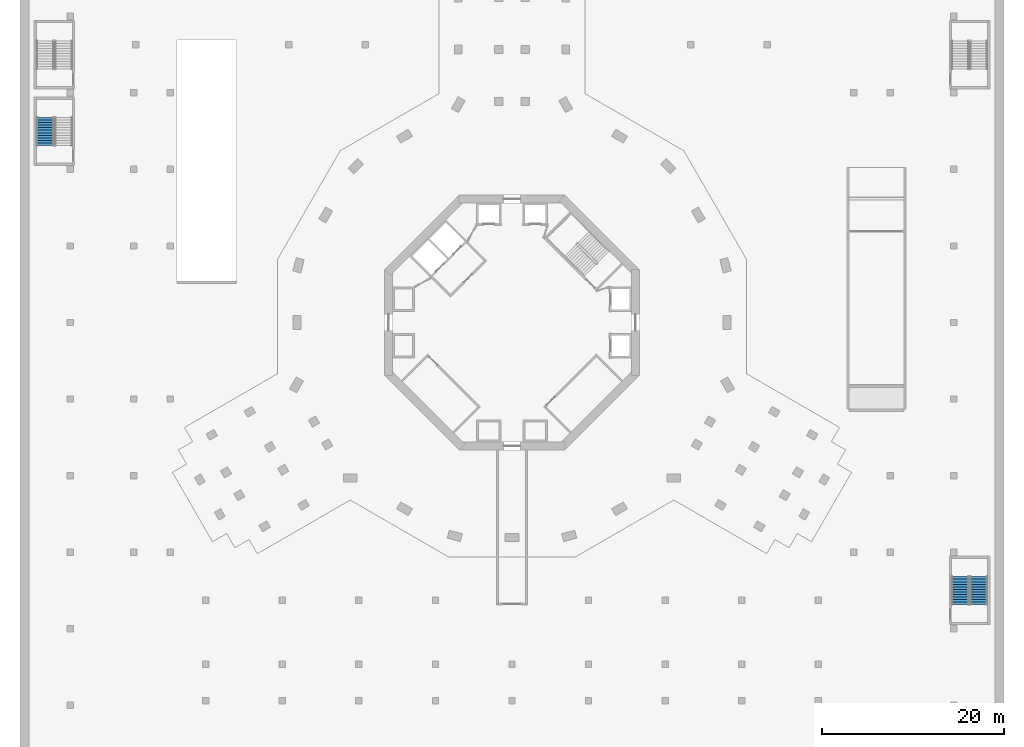
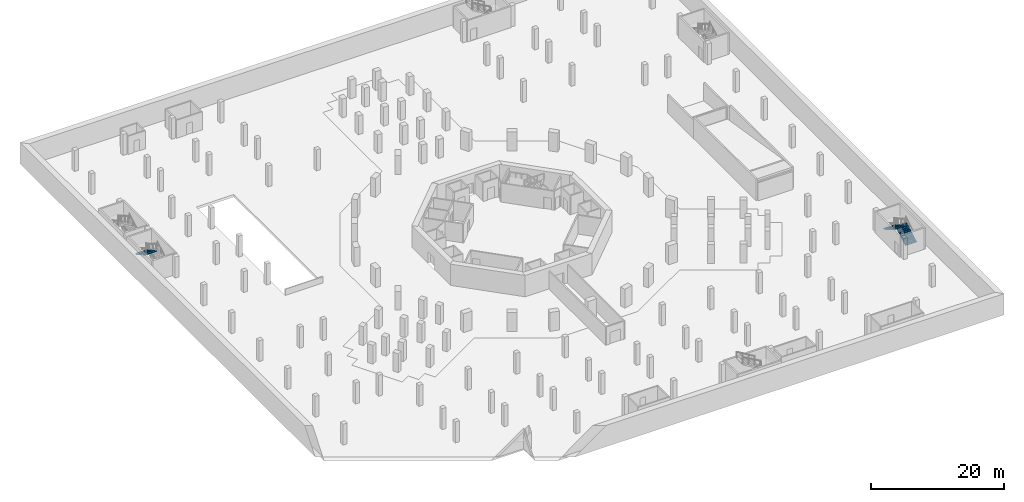
# One storey, part 15 of 25: 3 stair flights, 2 elements without a shape of their own.
"""IFC4 building model written with IfcOpenShell, lengths in metres."""

from ifc_helpers import new_model, si_unit, direction, frame, origin, place, context, subcontext, project, spatial, triangles, material, type_object, element, aggregate, save


model = new_model("IFC4")

# Units and contexts
model_context = context("Model", 3, precision=1e-05, world=origin(), true_north=direction((0.0, 1.0)))
body_context = subcontext(model_context, "Body", "Model", "MODEL_VIEW")
ifc_project = project(units=[si_unit("LENGTHUNIT", "METRE"), si_unit("AREAUNIT", "SQUARE_METRE"), si_unit("VOLUMEUNIT", "CUBIC_METRE"), si_unit("PLANEANGLEUNIT", "RADIAN"), si_unit("MASSUNIT", "GRAM", prefix="KILO")], contexts=[model_context])

# Site, building, storey
site_placement = place(None, origin())
site = spatial("IfcSite", under=ifc_project, at=site_placement, CompositionType="ELEMENT")
building_placement = place(site_placement, origin())
building = spatial("IfcBuilding", under=site, at=building_placement, Name="Verdalira Terraces Hotel", CompositionType="ELEMENT")
storey_placement = place(building_placement, frame((0.0, 0.0, -3.899902)))
storey = spatial("IfcBuildingStorey", under=building, at=storey_placement, Name="B1", CompositionType="ELEMENT", Elevation=-3.89990234375)

# Stair, stair flights
ifc_material_1 = material(Name="Concrete C40", Category="concrete")
stair_type = type_object("IfcStairType", Name="Car park stair 24 risers", PredefinedType="HALF_TURN_STAIR", material=ifc_material_1)
stair_1_placement = place(storey_placement, origin())
stair_1 = element("IfcStair", 1, at=stair_1_placement, inside=storey, type_object=stair_type, Name="B1 Exit stair Basement stair 2", PredefinedType="HALF_TURN_STAIR")
ifc_material_2 = material(Name="Concrete C40", Category="concrete")
stair_flight_type = type_object("IfcStairFlightType", Name="Car park stair flight 24 risers", PredefinedType="STRAIGHT", material=ifc_material_2)
stair_flight_1_placement = place(storey_placement, frame((51.237549, -30.975098, 0.0), z_axis=(0.0, 0.0, 1.0), x_axis=(0.0, 1.0, 0.0)))
stair_flight_1 = element("IfcStairFlight", 2, at=stair_flight_1_placement, type_object=stair_flight_type, Name="Basement stair 2 flight 1", NumberOfRisers=12, NumberOfTreads=11, PredefinedType="STRAIGHT", RiserHeight=0.1625, TreadLength=0.28, context=body_context, shape_type="Tessellation", body=[
    triangles([(0.0, 0.962524, 0.0), (0.298584, 0.962524, 0.0), (3.080078, 0.962524, 1.614258), (0.0, -0.962524, 0.0), (0.298584, -0.962524, 0.0), (3.080078, -0.962524, 1.614258), (3.080078, 0.962524, 1.787598), (2.800049, 0.962524, 1.787598), (3.080078, -0.962524, 1.787598), (2.800049, -0.962524, 1.787598), (2.800049, 0.962524, 1.625), (2.800049, -0.962524, 1.625), (2.52002, 0.962524, 1.625), (2.52002, -0.962524, 1.625), (2.52002, 0.962524, 1.462402), (2.52002, -0.962524, 1.462402), (2.23999, 0.962524, 1.462402), (2.23999, 0.962524, 1.300049), (2.23999, -0.962524, 1.462402), (2.23999, -0.962524, 1.300049), (1.959961, 0.962524, 1.300049), (1.959961, 0.962524, 1.137451), (1.959961, -0.962524, 1.300049), (1.959961, -0.962524, 1.137451), (1.679932, 0.962524, 1.137451), (1.679932, 0.962524, 0.975098), (1.679932, -0.962524, 1.137451), (1.679932, -0.962524, 0.975098), (1.399902, 0.962524, 0.975098), (1.399902, 0.962524, 0.8125), (1.399902, -0.962524, 0.975098), (1.399902, -0.962524, 0.8125), (1.120117, 0.962524, 0.8125), (1.120117, 0.962524, 0.649902), (1.120117, -0.962524, 0.8125), (1.120117, -0.962524, 0.649902), (0.840088, 0.962524, 0.649902), (0.840088, 0.962524, 0.487549), (0.840088, -0.962524, 0.649902), (0.840088, -0.962524, 0.487549), (0.560059, 0.962524, 0.487549), (0.560059, 0.962524, 0.324951), (0.560059, -0.962524, 0.487549), (0.560059, -0.962524, 0.324951), (0.280029, 0.962524, 0.324951), (0.280029, 0.962524, 0.162598), (0.280029, -0.962524, 0.324951), (0.280029, -0.962524, 0.162598), (0.0, 0.962524, 0.162598), (0.0, -0.962524, 0.162598), (0.0, -0.902367, 0.0), (0.0, -0.902367, 0.162598), (0.0, -0.842209, 0.0), (0.0, -0.842209, 0.162598), (0.0, -0.782051, 0.0), (0.0, -0.782051, 0.162598), (0.0, -0.721893, 0.0), (0.0, -0.721893, 0.162598), (0.0, -0.661736, 0.0), (0.0, -0.661736, 0.162598), (0.0, -0.601578, 0.0), (0.0, -0.601578, 0.162598), (0.0, -0.54142, 0.0), (0.0, -0.54142, 0.162598), (0.0, -0.481262, 0.0), (0.0, -0.481262, 0.162598), (0.0, -0.421104, 0.0), (0.0, -0.421104, 0.162598), (0.0, -0.360947, 0.0), (0.0, -0.360947, 0.162598), (0.0, -0.300789, 0.0), (0.0, -0.300789, 0.162598), (0.0, -0.240631, 0.0), (0.0, -0.240631, 0.162598), (0.0, -0.180473, 0.0), (0.0, -0.180473, 0.162598), (0.0, -0.120316, 0.0), (0.0, -0.120316, 0.162598), (0.0, -0.060158, 0.0), (0.0, -0.060158, 0.162598), (0.0, 0.0, 0.0), (0.0, 0.0, 0.162598), (0.0, 0.060158, 0.0), (0.0, 0.060158, 0.162598), (0.0, 0.120316, 0.0), (0.0, 0.120316, 0.162598), (0.0, 0.180473, 0.0), (0.0, 0.180473, 0.162598), (0.0, 0.240631, 0.0), (0.0, 0.240631, 0.162598), (0.0, 0.300789, 0.0), (0.0, 0.300789, 0.162598), (0.0, 0.360947, 0.0), (0.0, 0.360947, 0.162598), (0.0, 0.421104, 0.0), (0.0, 0.421104, 0.162598), (0.0, 0.481262, 0.0), (0.0, 0.481262, 0.162598), (0.0, 0.54142, 0.0), (0.0, 0.54142, 0.162598), (0.0, 0.601578, 0.0), (0.0, 0.601578, 0.162598), (0.0, 0.661736, 0.0), (0.0, 0.661736, 0.162598), (0.0, 0.721893, 0.0), (0.0, 0.721893, 0.162598), (0.0, 0.782051, 0.0), (0.0, 0.782051, 0.162598), (0.0, 0.842209, 0.0), (0.0, 0.842209, 0.162598), (0.0, 0.902367, 0.0), (0.0, 0.902367, 0.162598), (3.080078, -0.902367, 1.787598), (3.080078, -0.842209, 1.787598), (3.080078, -0.782051, 1.787598), (3.080078, -0.721893, 1.787598), (3.080078, -0.661736, 1.787598), (3.080078, -0.601578, 1.787598), (3.080078, -0.54142, 1.787598), (3.080078, -0.481262, 1.787598), (3.080078, -0.421104, 1.787598), (3.080078, -0.360947, 1.787598), (3.080078, -0.300789, 1.787598), (3.080078, -0.240631, 1.787598), (3.080078, -0.180473, 1.787598), (3.080078, -0.120316, 1.787598), (3.080078, -0.060158, 1.787598), (3.080078, 0.0, 1.787598), (3.080078, 0.060158, 1.787598), (3.080078, 0.120316, 1.787598), (3.080078, 0.180473, 1.787598), (3.080078, 0.240631, 1.787598), (3.080078, 0.300789, 1.787598), (3.080078, 0.360947, 1.787598), (3.080078, 0.421104, 1.787598), (3.080078, 0.481262, 1.787598), (3.080078, 0.54142, 1.787598), (3.080078, 0.601578, 1.787598), (3.080078, 0.661736, 1.787598), (3.080078, 0.721893, 1.787598), (3.080078, 0.782051, 1.787598), (3.080078, 0.842209, 1.787598), (3.080078, 0.902367, 1.787598), (3.080078, -0.902367, 1.614258), (3.080078, -0.842209, 1.614258), (3.080078, -0.782051, 1.614258), (3.080078, -0.721893, 1.614258), (3.080078, -0.661736, 1.614258), (3.080078, -0.601578, 1.614258), (3.080078, -0.54142, 1.614258), (3.080078, -0.481262, 1.614258), (3.080078, -0.421104, 1.614258), (3.080078, -0.360947, 1.614258), (3.080078, -0.300789, 1.614258), (3.080078, -0.240631, 1.614258), (3.080078, -0.180473, 1.614258), (3.080078, -0.120316, 1.614258), (3.080078, -0.060158, 1.614258), (3.080078, 0.0, 1.614258), (3.080078, 0.060158, 1.614258), (3.080078, 0.120316, 1.614258), (3.080078, 0.180473, 1.614258), (3.080078, 0.240631, 1.614258), (3.080078, 0.300789, 1.614258), (3.080078, 0.360947, 1.614258), (3.080078, 0.421104, 1.614258), (3.080078, 0.481262, 1.614258), (3.080078, 0.54142, 1.614258), (3.080078, 0.601578, 1.614258), (3.080078, 0.661736, 1.614258), (3.080078, 0.721893, 1.614258), (3.080078, 0.782051, 1.614258), (3.080078, 0.842209, 1.614258), (3.080078, 0.902367, 1.614258)], [[1, 3, 2], [4, 5, 6], [3, 8, 7], [6, 9, 10], [3, 11, 8], [6, 10, 12], [3, 13, 11], [6, 12, 14], [3, 15, 13], [6, 14, 16], [15, 18, 17], [16, 19, 20], [3, 18, 15], [6, 16, 20], [18, 22, 21], [20, 23, 24], [3, 22, 18], [6, 20, 24], [22, 26, 25], [24, 27, 28], [3, 26, 22], [6, 24, 28], [26, 30, 29], [28, 31, 32], [3, 30, 26], [6, 28, 32], [30, 34, 33], [32, 35, 36], [3, 34, 30], [6, 32, 36], [34, 38, 37], [36, 39, 40], [3, 38, 34], [6, 36, 40], [38, 42, 41], [40, 43, 44], [3, 42, 38], [6, 40, 44], [1, 42, 3], [4, 6, 44], [42, 46, 45], [44, 47, 48], [1, 46, 42], [4, 44, 48], [46, 1, 49], [48, 50, 4], [4, 52, 51], [4, 50, 52], [51, 54, 53], [51, 52, 54], [53, 56, 55], [53, 54, 56], [55, 58, 57], [55, 56, 58], [57, 60, 59], [57, 58, 60], [59, 62, 61], [59, 60, 62], [61, 64, 63], [61, 62, 64], [63, 66, 65], [63, 64, 66], [65, 68, 67], [65, 66, 68], [67, 70, 69], [67, 68, 70], [69, 72, 71], [69, 70, 72], [71, 74, 73], [71, 72, 74], [73, 76, 75], [73, 74, 76], [75, 78, 77], [75, 76, 78], [77, 80, 79], [77, 78, 80], [79, 82, 81], [79, 80, 82], [81, 84, 83], [81, 82, 84], [83, 86, 85], [83, 84, 86], [85, 88, 87], [85, 86, 88], [87, 90, 89], [87, 88, 90], [89, 92, 91], [89, 90, 92], [91, 94, 93], [91, 92, 94], [93, 96, 95], [93, 94, 96], [95, 98, 97], [95, 96, 98], [97, 100, 99], [97, 98, 100], [99, 102, 101], [99, 100, 102], [101, 104, 103], [101, 102, 104], [103, 106, 105], [103, 104, 106], [105, 108, 107], [105, 106, 108], [107, 110, 109], [107, 108, 110], [109, 112, 111], [109, 110, 112], [111, 49, 1], [111, 112, 49], [50, 48, 52], [52, 48, 54], [54, 48, 56], [56, 48, 58], [58, 48, 60], [60, 48, 62], [62, 48, 64], [64, 48, 66], [66, 48, 68], [68, 48, 70], [70, 48, 72], [72, 48, 74], [74, 48, 76], [76, 48, 78], [78, 48, 80], [80, 48, 82], [82, 48, 84], [84, 48, 86], [86, 48, 88], [88, 48, 90], [90, 48, 92], [92, 48, 94], [94, 48, 96], [96, 48, 98], [98, 48, 100], [100, 48, 102], [102, 48, 104], [104, 48, 106], [106, 48, 108], [108, 48, 110], [110, 48, 112], [112, 48, 49], [49, 48, 46], [48, 45, 46], [48, 47, 45], [47, 42, 45], [47, 44, 42], [44, 41, 42], [44, 43, 41], [43, 38, 41], [43, 40, 38], [40, 37, 38], [40, 39, 37], [39, 34, 37], [39, 36, 34], [36, 33, 34], [36, 35, 33], [35, 30, 33], [35, 32, 30], [32, 29, 30], [32, 31, 29], [31, 26, 29], [31, 28, 26], [28, 25, 26], [28, 27, 25], [27, 22, 25], [27, 24, 22], [24, 21, 22], [24, 23, 21], [23, 18, 21], [23, 20, 18], [20, 17, 18], [20, 19, 17], [19, 15, 17], [19, 16, 15], [16, 13, 15], [16, 14, 13], [14, 11, 13], [14, 12, 11], [12, 8, 11], [12, 10, 8], [9, 113, 10], [113, 114, 10], [114, 115, 10], [115, 116, 10], [116, 117, 10], [117, 118, 10], [118, 119, 10], [119, 120, 10], [120, 121, 10], [121, 122, 10], [122, 123, 10], [123, 124, 10], [124, 125, 10], [125, 126, 10], [126, 127, 10], [127, 128, 10], [128, 129, 10], [129, 130, 10], [130, 131, 10], [131, 132, 10], [132, 133, 10], [133, 134, 10], [134, 135, 10], [135, 136, 10], [136, 137, 10], [137, 138, 10], [138, 139, 10], [139, 140, 10], [140, 141, 10], [141, 142, 10], [142, 143, 10], [143, 7, 10], [7, 8, 10], [9, 144, 113], [9, 6, 144], [113, 145, 114], [113, 144, 145], [114, 146, 115], [114, 145, 146], [115, 147, 116], [115, 146, 147], [116, 148, 117], [116, 147, 148], [117, 149, 118], [117, 148, 149], [118, 150, 119], [118, 149, 150], [119, 151, 120], [119, 150, 151], [120, 152, 121], [120, 151, 152], [121, 153, 122], [121, 152, 153], [122, 154, 123], [122, 153, 154], [123, 155, 124], [123, 154, 155], [124, 156, 125], [124, 155, 156], [125, 157, 126], [125, 156, 157], [126, 158, 127], [126, 157, 158], [127, 159, 128], [127, 158, 159], [128, 160, 129], [128, 159, 160], [129, 161, 130], [129, 160, 161], [130, 162, 131], [130, 161, 162], [131, 163, 132], [131, 162, 163], [132, 164, 133], [132, 163, 164], [133, 165, 134], [133, 164, 165], [134, 166, 135], [134, 165, 166], [135, 167, 136], [135, 166, 167], [136, 168, 137], [136, 167, 168], [137, 169, 138], [137, 168, 169], [138, 170, 139], [138, 169, 170], [139, 171, 140], [139, 170, 171], [140, 172, 141], [140, 171, 172], [141, 173, 142], [141, 172, 173], [142, 174, 143], [142, 173, 174], [143, 3, 7], [143, 174, 3], [6, 5, 144], [144, 5, 145], [145, 5, 146], [146, 5, 147], [147, 5, 148], [148, 5, 149], [149, 5, 150], [150, 5, 151], [151, 5, 152], [152, 5, 153], [153, 5, 154], [154, 5, 155], [155, 5, 156], [156, 5, 157], [157, 5, 158], [158, 5, 159], [159, 5, 160], [160, 5, 161], [161, 5, 162], [162, 5, 163], [163, 5, 164], [164, 5, 165], [165, 5, 166], [166, 5, 167], [167, 5, 168], [168, 5, 169], [169, 5, 170], [170, 5, 171], [171, 5, 172], [172, 5, 173], [173, 5, 174], [174, 5, 3], [3, 5, 2], [4, 51, 5], [51, 53, 5], [53, 55, 5], [55, 57, 5], [57, 59, 5], [59, 61, 5], [61, 63, 5], [63, 65, 5], [65, 67, 5], [67, 69, 5], [69, 71, 5], [71, 73, 5], [73, 75, 5], [75, 77, 5], [77, 79, 5], [79, 81, 5], [81, 83, 5], [83, 85, 5], [85, 87, 5], [87, 89, 5], [89, 91, 5], [91, 93, 5], [93, 95, 5], [95, 97, 5], [97, 99, 5], [99, 101, 5], [101, 103, 5], [103, 105, 5], [105, 107, 5], [107, 109, 5], [109, 111, 5], [111, 1, 5], [1, 2, 5]], closed=True),
])
stair_flight_2_placement = place(storey_placement, frame((49.212402, -27.89502, 1.949951), z_axis=(0.0, 0.0, 1.0), x_axis=(0.0, -1.0, 0.0)))
stair_flight_2 = element("IfcStairFlight", 3, at=stair_flight_2_placement, type_object=stair_flight_type, Name="Basement stair 2 flight 2", NumberOfRisers=12, NumberOfTreads=11, PredefinedType="STRAIGHT", RiserHeight=0.1625, TreadLength=0.28, context=body_context, shape_type="Tessellation", body=[
    triangles([(0.0, 0.962524, 0.0), (0.298584, 0.962524, 0.0), (3.080078, 0.962524, 1.614258), (0.0, -0.962524, 0.0), (0.298584, -0.962524, 0.0), (3.080078, -0.962524, 1.614258), (3.080078, 0.962524, 1.787598), (2.800049, 0.962524, 1.787598), (3.080078, -0.962524, 1.787598), (2.800049, -0.962524, 1.787598), (2.800049, 0.962524, 1.625), (2.800049, -0.962524, 1.625), (2.52002, 0.962524, 1.625), (2.52002, -0.962524, 1.625), (2.52002, 0.962524, 1.462402), (2.52002, -0.962524, 1.462402), (2.23999, 0.962524, 1.462402), (2.23999, 0.962524, 1.300049), (2.23999, -0.962524, 1.462402), (2.23999, -0.962524, 1.300049), (1.959961, 0.962524, 1.300049), (1.959961, 0.962524, 1.137451), (1.959961, -0.962524, 1.300049), (1.959961, -0.962524, 1.137451), (1.679932, 0.962524, 1.137451), (1.679932, 0.962524, 0.975098), (1.679932, -0.962524, 1.137451), (1.679932, -0.962524, 0.975098), (1.399902, 0.962524, 0.975098), (1.399902, 0.962524, 0.8125), (1.399902, -0.962524, 0.975098), (1.399902, -0.962524, 0.8125), (1.120117, 0.962524, 0.8125), (1.120117, 0.962524, 0.649902), (1.120117, -0.962524, 0.8125), (1.120117, -0.962524, 0.649902), (0.840088, 0.962524, 0.649902), (0.840088, 0.962524, 0.487549), (0.840088, -0.962524, 0.649902), (0.840088, -0.962524, 0.487549), (0.560059, 0.962524, 0.487549), (0.560059, 0.962524, 0.324951), (0.560059, -0.962524, 0.487549), (0.560059, -0.962524, 0.324951), (0.280029, 0.962524, 0.324951), (0.280029, 0.962524, 0.162598), (0.280029, -0.962524, 0.324951), (0.280029, -0.962524, 0.162598), (0.0, 0.962524, 0.162598), (0.0, -0.962524, 0.162598), (0.0, -0.902367, 0.0), (0.0, -0.902367, 0.162598), (0.0, -0.842209, 0.0), (0.0, -0.842209, 0.162598), (0.0, -0.782051, 0.0), (0.0, -0.782051, 0.162598), (0.0, -0.721893, 0.0), (0.0, -0.721893, 0.162598), (0.0, -0.661736, 0.0), (0.0, -0.661736, 0.162598), (0.0, -0.601578, 0.0), (0.0, -0.601578, 0.162598), (0.0, -0.54142, 0.0), (0.0, -0.54142, 0.162598), (0.0, -0.481262, 0.0), (0.0, -0.481262, 0.162598), (0.0, -0.421104, 0.0), (0.0, -0.421104, 0.162598), (0.0, -0.360947, 0.0), (0.0, -0.360947, 0.162598), (0.0, -0.300789, 0.0), (0.0, -0.300789, 0.162598), (0.0, -0.240631, 0.0), (0.0, -0.240631, 0.162598), (0.0, -0.180473, 0.0), (0.0, -0.180473, 0.162598), (0.0, -0.120316, 0.0), (0.0, -0.120316, 0.162598), (0.0, -0.060158, 0.0), (0.0, -0.060158, 0.162598), (0.0, 0.0, 0.0), (0.0, 0.0, 0.162598), (0.0, 0.060158, 0.0), (0.0, 0.060158, 0.162598), (0.0, 0.120316, 0.0), (0.0, 0.120316, 0.162598), (0.0, 0.180473, 0.0), (0.0, 0.180473, 0.162598), (0.0, 0.240631, 0.0), (0.0, 0.240631, 0.162598), (0.0, 0.300789, 0.0), (0.0, 0.300789, 0.162598), (0.0, 0.360947, 0.0), (0.0, 0.360947, 0.162598), (0.0, 0.421104, 0.0), (0.0, 0.421104, 0.162598), (0.0, 0.481262, 0.0), (0.0, 0.481262, 0.162598), (0.0, 0.54142, 0.0), (0.0, 0.54142, 0.162598), (0.0, 0.601578, 0.0), (0.0, 0.601578, 0.162598), (0.0, 0.661736, 0.0), (0.0, 0.661736, 0.162598), (0.0, 0.721893, 0.0), (0.0, 0.721893, 0.162598), (0.0, 0.782051, 0.0), (0.0, 0.782051, 0.162598), (0.0, 0.842209, 0.0), (0.0, 0.842209, 0.162598), (0.0, 0.902367, 0.0), (0.0, 0.902367, 0.162598), (3.080078, -0.902367, 1.787598), (3.080078, -0.842209, 1.787598), (3.080078, -0.782051, 1.787598), (3.080078, -0.721893, 1.787598), (3.080078, -0.661736, 1.787598), (3.080078, -0.601578, 1.787598), (3.080078, -0.54142, 1.787598), (3.080078, -0.481262, 1.787598), (3.080078, -0.421104, 1.787598), (3.080078, -0.360947, 1.787598), (3.080078, -0.300789, 1.787598), (3.080078, -0.240631, 1.787598), (3.080078, -0.180473, 1.787598), (3.080078, -0.120316, 1.787598), (3.080078, -0.060158, 1.787598), (3.080078, 0.0, 1.787598), (3.080078, 0.060158, 1.787598), (3.080078, 0.120316, 1.787598), (3.080078, 0.180473, 1.787598), (3.080078, 0.240631, 1.787598), (3.080078, 0.300789, 1.787598), (3.080078, 0.360947, 1.787598), (3.080078, 0.421104, 1.787598), (3.080078, 0.481262, 1.787598), (3.080078, 0.54142, 1.787598), (3.080078, 0.601578, 1.787598), (3.080078, 0.661736, 1.787598), (3.080078, 0.721893, 1.787598), (3.080078, 0.782051, 1.787598), (3.080078, 0.842209, 1.787598), (3.080078, 0.902367, 1.787598), (3.080078, -0.902367, 1.614258), (3.080078, -0.842209, 1.614258), (3.080078, -0.782051, 1.614258), (3.080078, -0.721893, 1.614258), (3.080078, -0.661736, 1.614258), (3.080078, -0.601578, 1.614258), (3.080078, -0.54142, 1.614258), (3.080078, -0.481262, 1.614258), (3.080078, -0.421104, 1.614258), (3.080078, -0.360947, 1.614258), (3.080078, -0.300789, 1.614258), (3.080078, -0.240631, 1.614258), (3.080078, -0.180473, 1.614258), (3.080078, -0.120316, 1.614258), (3.080078, -0.060158, 1.614258), (3.080078, 0.0, 1.614258), (3.080078, 0.060158, 1.614258), (3.080078, 0.120316, 1.614258), (3.080078, 0.180473, 1.614258), (3.080078, 0.240631, 1.614258), (3.080078, 0.300789, 1.614258), (3.080078, 0.360947, 1.614258), (3.080078, 0.421104, 1.614258), (3.080078, 0.481262, 1.614258), (3.080078, 0.54142, 1.614258), (3.080078, 0.601578, 1.614258), (3.080078, 0.661736, 1.614258), (3.080078, 0.721893, 1.614258), (3.080078, 0.782051, 1.614258), (3.080078, 0.842209, 1.614258), (3.080078, 0.902367, 1.614258)], [[1, 3, 2], [4, 5, 6], [3, 8, 7], [6, 9, 10], [3, 11, 8], [6, 10, 12], [3, 13, 11], [6, 12, 14], [3, 15, 13], [6, 14, 16], [15, 18, 17], [16, 19, 20], [3, 18, 15], [6, 16, 20], [18, 22, 21], [20, 23, 24], [3, 22, 18], [6, 20, 24], [22, 26, 25], [24, 27, 28], [3, 26, 22], [6, 24, 28], [26, 30, 29], [28, 31, 32], [3, 30, 26], [6, 28, 32], [30, 34, 33], [32, 35, 36], [3, 34, 30], [6, 32, 36], [34, 38, 37], [36, 39, 40], [3, 38, 34], [6, 36, 40], [38, 42, 41], [40, 43, 44], [3, 42, 38], [6, 40, 44], [1, 42, 3], [4, 6, 44], [42, 46, 45], [44, 47, 48], [1, 46, 42], [4, 44, 48], [46, 1, 49], [48, 50, 4], [4, 52, 51], [4, 50, 52], [51, 54, 53], [51, 52, 54], [53, 56, 55], [53, 54, 56], [55, 58, 57], [55, 56, 58], [57, 60, 59], [57, 58, 60], [59, 62, 61], [59, 60, 62], [61, 64, 63], [61, 62, 64], [63, 66, 65], [63, 64, 66], [65, 68, 67], [65, 66, 68], [67, 70, 69], [67, 68, 70], [69, 72, 71], [69, 70, 72], [71, 74, 73], [71, 72, 74], [73, 76, 75], [73, 74, 76], [75, 78, 77], [75, 76, 78], [77, 80, 79], [77, 78, 80], [79, 82, 81], [79, 80, 82], [81, 84, 83], [81, 82, 84], [83, 86, 85], [83, 84, 86], [85, 88, 87], [85, 86, 88], [87, 90, 89], [87, 88, 90], [89, 92, 91], [89, 90, 92], [91, 94, 93], [91, 92, 94], [93, 96, 95], [93, 94, 96], [95, 98, 97], [95, 96, 98], [97, 100, 99], [97, 98, 100], [99, 102, 101], [99, 100, 102], [101, 104, 103], [101, 102, 104], [103, 106, 105], [103, 104, 106], [105, 108, 107], [105, 106, 108], [107, 110, 109], [107, 108, 110], [109, 112, 111], [109, 110, 112], [111, 49, 1], [111, 112, 49], [50, 48, 52], [52, 48, 54], [54, 48, 56], [56, 48, 58], [58, 48, 60], [60, 48, 62], [62, 48, 64], [64, 48, 66], [66, 48, 68], [68, 48, 70], [70, 48, 72], [72, 48, 74], [74, 48, 76], [76, 48, 78], [78, 48, 80], [80, 48, 82], [82, 48, 84], [84, 48, 86], [86, 48, 88], [88, 48, 90], [90, 48, 92], [92, 48, 94], [94, 48, 96], [96, 48, 98], [98, 48, 100], [100, 48, 102], [102, 48, 104], [104, 48, 106], [106, 48, 108], [108, 48, 110], [110, 48, 112], [112, 48, 49], [49, 48, 46], [48, 45, 46], [48, 47, 45], [47, 42, 45], [47, 44, 42], [44, 41, 42], [44, 43, 41], [43, 38, 41], [43, 40, 38], [40, 37, 38], [40, 39, 37], [39, 34, 37], [39, 36, 34], [36, 33, 34], [36, 35, 33], [35, 30, 33], [35, 32, 30], [32, 29, 30], [32, 31, 29], [31, 26, 29], [31, 28, 26], [28, 25, 26], [28, 27, 25], [27, 22, 25], [27, 24, 22], [24, 21, 22], [24, 23, 21], [23, 18, 21], [23, 20, 18], [20, 17, 18], [20, 19, 17], [19, 15, 17], [19, 16, 15], [16, 13, 15], [16, 14, 13], [14, 11, 13], [14, 12, 11], [12, 8, 11], [12, 10, 8], [9, 113, 10], [113, 114, 10], [114, 115, 10], [115, 116, 10], [116, 117, 10], [117, 118, 10], [118, 119, 10], [119, 120, 10], [120, 121, 10], [121, 122, 10], [122, 123, 10], [123, 124, 10], [124, 125, 10], [125, 126, 10], [126, 127, 10], [127, 128, 10], [128, 129, 10], [129, 130, 10], [130, 131, 10], [131, 132, 10], [132, 133, 10], [133, 134, 10], [134, 135, 10], [135, 136, 10], [136, 137, 10], [137, 138, 10], [138, 139, 10], [139, 140, 10], [140, 141, 10], [141, 142, 10], [142, 143, 10], [143, 7, 10], [7, 8, 10], [9, 144, 113], [9, 6, 144], [113, 145, 114], [113, 144, 145], [114, 146, 115], [114, 145, 146], [115, 147, 116], [115, 146, 147], [116, 148, 117], [116, 147, 148], [117, 149, 118], [117, 148, 149], [118, 150, 119], [118, 149, 150], [119, 151, 120], [119, 150, 151], [120, 152, 121], [120, 151, 152], [121, 153, 122], [121, 152, 153], [122, 154, 123], [122, 153, 154], [123, 155, 124], [123, 154, 155], [124, 156, 125], [124, 155, 156], [125, 157, 126], [125, 156, 157], [126, 158, 127], [126, 157, 158], [127, 159, 128], [127, 158, 159], [128, 160, 129], [128, 159, 160], [129, 161, 130], [129, 160, 161], [130, 162, 131], [130, 161, 162], [131, 163, 132], [131, 162, 163], [132, 164, 133], [132, 163, 164], [133, 165, 134], [133, 164, 165], [134, 166, 135], [134, 165, 166], [135, 167, 136], [135, 166, 167], [136, 168, 137], [136, 167, 168], [137, 169, 138], [137, 168, 169], [138, 170, 139], [138, 169, 170], [139, 171, 140], [139, 170, 171], [140, 172, 141], [140, 171, 172], [141, 173, 142], [141, 172, 173], [142, 174, 143], [142, 173, 174], [143, 3, 7], [143, 174, 3], [6, 5, 144], [144, 5, 145], [145, 5, 146], [146, 5, 147], [147, 5, 148], [148, 5, 149], [149, 5, 150], [150, 5, 151], [151, 5, 152], [152, 5, 153], [153, 5, 154], [154, 5, 155], [155, 5, 156], [156, 5, 157], [157, 5, 158], [158, 5, 159], [159, 5, 160], [160, 5, 161], [161, 5, 162], [162, 5, 163], [163, 5, 164], [164, 5, 165], [165, 5, 166], [166, 5, 167], [167, 5, 168], [168, 5, 169], [169, 5, 170], [170, 5, 171], [171, 5, 172], [172, 5, 173], [173, 5, 174], [174, 5, 3], [3, 5, 2], [4, 51, 5], [51, 53, 5], [53, 55, 5], [55, 57, 5], [57, 59, 5], [59, 61, 5], [61, 63, 5], [63, 65, 5], [65, 67, 5], [67, 69, 5], [69, 71, 5], [71, 73, 5], [73, 75, 5], [75, 77, 5], [77, 79, 5], [79, 81, 5], [81, 83, 5], [83, 85, 5], [85, 87, 5], [87, 89, 5], [89, 91, 5], [91, 93, 5], [93, 95, 5], [95, 97, 5], [97, 99, 5], [99, 101, 5], [101, 103, 5], [103, 105, 5], [105, 107, 5], [107, 109, 5], [109, 111, 5], [111, 1, 5], [1, 2, 5]], closed=True),
])
aggregate(stair_1, [stair_flight_1, stair_flight_2])

# Stair, stair flight
stair_2_placement = place(storey_placement, origin())
stair_2 = element("IfcStair", 4, at=stair_2_placement, inside=storey, type_object=stair_type, Name="B1 Exit stair Basement stair 7", PredefinedType="HALF_TURN_STAIR")
stair_flight_3_placement = place(storey_placement, frame((-51.237549, 22.504883, 1.949951), z_axis=(0.0, 0.0, 1.0), x_axis=(0.0, -1.0, 0.0)))
stair_flight_3 = element("IfcStairFlight", 5, at=stair_flight_3_placement, type_object=stair_flight_type, Name="Basement stair 7 flight 2", NumberOfRisers=12, NumberOfTreads=11, PredefinedType="STRAIGHT", RiserHeight=0.1625, TreadLength=0.28, context=body_context, shape_type="Tessellation", body=[
    triangles([(0.0, 0.962524, 0.0), (0.298584, 0.962524, 0.0), (3.080078, 0.962524, 1.614258), (0.0, -0.962524, 0.0), (0.298584, -0.962524, 0.0), (3.080078, -0.962524, 1.614258), (3.080078, 0.962524, 1.787598), (2.800049, 0.962524, 1.787598), (3.080078, -0.962524, 1.787598), (2.800049, -0.962524, 1.787598), (2.800049, 0.962524, 1.625), (2.800049, -0.962524, 1.625), (2.52002, 0.962524, 1.625), (2.52002, -0.962524, 1.625), (2.52002, 0.962524, 1.462402), (2.52002, -0.962524, 1.462402), (2.23999, 0.962524, 1.462402), (2.23999, 0.962524, 1.300049), (2.23999, -0.962524, 1.462402), (2.23999, -0.962524, 1.300049), (1.959961, 0.962524, 1.300049), (1.959961, 0.962524, 1.137451), (1.959961, -0.962524, 1.300049), (1.959961, -0.962524, 1.137451), (1.679932, 0.962524, 1.137451), (1.679932, 0.962524, 0.975098), (1.679932, -0.962524, 1.137451), (1.679932, -0.962524, 0.975098), (1.399902, 0.962524, 0.975098), (1.399902, 0.962524, 0.8125), (1.399902, -0.962524, 0.975098), (1.399902, -0.962524, 0.8125), (1.120117, 0.962524, 0.8125), (1.120117, 0.962524, 0.649902), (1.120117, -0.962524, 0.8125), (1.120117, -0.962524, 0.649902), (0.840088, 0.962524, 0.649902), (0.840088, 0.962524, 0.487549), (0.840088, -0.962524, 0.649902), (0.840088, -0.962524, 0.487549), (0.560059, 0.962524, 0.487549), (0.560059, 0.962524, 0.324951), (0.560059, -0.962524, 0.487549), (0.560059, -0.962524, 0.324951), (0.280029, 0.962524, 0.324951), (0.280029, 0.962524, 0.162598), (0.280029, -0.962524, 0.324951), (0.280029, -0.962524, 0.162598), (0.0, 0.962524, 0.162598), (0.0, -0.962524, 0.162598), (0.0, -0.902367, 0.0), (0.0, -0.902367, 0.162598), (0.0, -0.842209, 0.0), (0.0, -0.842209, 0.162598), (0.0, -0.782051, 0.0), (0.0, -0.782051, 0.162598), (0.0, -0.721893, 0.0), (0.0, -0.721893, 0.162598), (0.0, -0.661736, 0.0), (0.0, -0.661736, 0.162598), (0.0, -0.601578, 0.0), (0.0, -0.601578, 0.162598), (0.0, -0.54142, 0.0), (0.0, -0.54142, 0.162598), (0.0, -0.481262, 0.0), (0.0, -0.481262, 0.162598), (0.0, -0.421104, 0.0), (0.0, -0.421104, 0.162598), (0.0, -0.360947, 0.0), (0.0, -0.360947, 0.162598), (0.0, -0.300789, 0.0), (0.0, -0.300789, 0.162598), (0.0, -0.240631, 0.0), (0.0, -0.240631, 0.162598), (0.0, -0.180473, 0.0), (0.0, -0.180473, 0.162598), (0.0, -0.120316, 0.0), (0.0, -0.120316, 0.162598), (0.0, -0.060158, 0.0), (0.0, -0.060158, 0.162598), (0.0, 0.0, 0.0), (0.0, 0.0, 0.162598), (0.0, 0.060158, 0.0), (0.0, 0.060158, 0.162598), (0.0, 0.120316, 0.0), (0.0, 0.120316, 0.162598), (0.0, 0.180473, 0.0), (0.0, 0.180473, 0.162598), (0.0, 0.240631, 0.0), (0.0, 0.240631, 0.162598), (0.0, 0.300789, 0.0), (0.0, 0.300789, 0.162598), (0.0, 0.360947, 0.0), (0.0, 0.360947, 0.162598), (0.0, 0.421104, 0.0), (0.0, 0.421104, 0.162598), (0.0, 0.481262, 0.0), (0.0, 0.481262, 0.162598), (0.0, 0.54142, 0.0), (0.0, 0.54142, 0.162598), (0.0, 0.601578, 0.0), (0.0, 0.601578, 0.162598), (0.0, 0.661736, 0.0), (0.0, 0.661736, 0.162598), (0.0, 0.721893, 0.0), (0.0, 0.721893, 0.162598), (0.0, 0.782051, 0.0), (0.0, 0.782051, 0.162598), (0.0, 0.842209, 0.0), (0.0, 0.842209, 0.162598), (0.0, 0.902367, 0.0), (0.0, 0.902367, 0.162598), (3.080078, -0.902367, 1.787598), (3.080078, -0.842209, 1.787598), (3.080078, -0.782051, 1.787598), (3.080078, -0.721893, 1.787598), (3.080078, -0.661736, 1.787598), (3.080078, -0.601578, 1.787598), (3.080078, -0.54142, 1.787598), (3.080078, -0.481262, 1.787598), (3.080078, -0.421104, 1.787598), (3.080078, -0.360947, 1.787598), (3.080078, -0.300789, 1.787598), (3.080078, -0.240631, 1.787598), (3.080078, -0.180473, 1.787598), (3.080078, -0.120316, 1.787598), (3.080078, -0.060158, 1.787598), (3.080078, 0.0, 1.787598), (3.080078, 0.060158, 1.787598), (3.080078, 0.120316, 1.787598), (3.080078, 0.180473, 1.787598), (3.080078, 0.240631, 1.787598), (3.080078, 0.300789, 1.787598), (3.080078, 0.360947, 1.787598), (3.080078, 0.421104, 1.787598), (3.080078, 0.481262, 1.787598), (3.080078, 0.54142, 1.787598), (3.080078, 0.601578, 1.787598), (3.080078, 0.661736, 1.787598), (3.080078, 0.721893, 1.787598), (3.080078, 0.782051, 1.787598), (3.080078, 0.842209, 1.787598), (3.080078, 0.902367, 1.787598), (3.080078, -0.902367, 1.614258), (3.080078, -0.842209, 1.614258), (3.080078, -0.782051, 1.614258), (3.080078, -0.721893, 1.614258), (3.080078, -0.661736, 1.614258), (3.080078, -0.601578, 1.614258), (3.080078, -0.54142, 1.614258), (3.080078, -0.481262, 1.614258), (3.080078, -0.421104, 1.614258), (3.080078, -0.360947, 1.614258), (3.080078, -0.300789, 1.614258), (3.080078, -0.240631, 1.614258), (3.080078, -0.180473, 1.614258), (3.080078, -0.120316, 1.614258), (3.080078, -0.060158, 1.614258), (3.080078, 0.0, 1.614258), (3.080078, 0.060158, 1.614258), (3.080078, 0.120316, 1.614258), (3.080078, 0.180473, 1.614258), (3.080078, 0.240631, 1.614258), (3.080078, 0.300789, 1.614258), (3.080078, 0.360947, 1.614258), (3.080078, 0.421104, 1.614258), (3.080078, 0.481262, 1.614258), (3.080078, 0.54142, 1.614258), (3.080078, 0.601578, 1.614258), (3.080078, 0.661736, 1.614258), (3.080078, 0.721893, 1.614258), (3.080078, 0.782051, 1.614258), (3.080078, 0.842209, 1.614258), (3.080078, 0.902367, 1.614258)], [[1, 3, 2], [4, 5, 6], [3, 8, 7], [6, 9, 10], [3, 11, 8], [6, 10, 12], [3, 13, 11], [6, 12, 14], [3, 15, 13], [6, 14, 16], [15, 18, 17], [16, 19, 20], [3, 18, 15], [6, 16, 20], [18, 22, 21], [20, 23, 24], [3, 22, 18], [6, 20, 24], [22, 26, 25], [24, 27, 28], [3, 26, 22], [6, 24, 28], [26, 30, 29], [28, 31, 32], [3, 30, 26], [6, 28, 32], [30, 34, 33], [32, 35, 36], [3, 34, 30], [6, 32, 36], [34, 38, 37], [36, 39, 40], [3, 38, 34], [6, 36, 40], [38, 42, 41], [40, 43, 44], [3, 42, 38], [6, 40, 44], [1, 42, 3], [4, 6, 44], [42, 46, 45], [44, 47, 48], [1, 46, 42], [4, 44, 48], [46, 1, 49], [48, 50, 4], [4, 52, 51], [4, 50, 52], [51, 54, 53], [51, 52, 54], [53, 56, 55], [53, 54, 56], [55, 58, 57], [55, 56, 58], [57, 60, 59], [57, 58, 60], [59, 62, 61], [59, 60, 62], [61, 64, 63], [61, 62, 64], [63, 66, 65], [63, 64, 66], [65, 68, 67], [65, 66, 68], [67, 70, 69], [67, 68, 70], [69, 72, 71], [69, 70, 72], [71, 74, 73], [71, 72, 74], [73, 76, 75], [73, 74, 76], [75, 78, 77], [75, 76, 78], [77, 80, 79], [77, 78, 80], [79, 82, 81], [79, 80, 82], [81, 84, 83], [81, 82, 84], [83, 86, 85], [83, 84, 86], [85, 88, 87], [85, 86, 88], [87, 90, 89], [87, 88, 90], [89, 92, 91], [89, 90, 92], [91, 94, 93], [91, 92, 94], [93, 96, 95], [93, 94, 96], [95, 98, 97], [95, 96, 98], [97, 100, 99], [97, 98, 100], [99, 102, 101], [99, 100, 102], [101, 104, 103], [101, 102, 104], [103, 106, 105], [103, 104, 106], [105, 108, 107], [105, 106, 108], [107, 110, 109], [107, 108, 110], [109, 112, 111], [109, 110, 112], [111, 49, 1], [111, 112, 49], [50, 48, 52], [52, 48, 54], [54, 48, 56], [56, 48, 58], [58, 48, 60], [60, 48, 62], [62, 48, 64], [64, 48, 66], [66, 48, 68], [68, 48, 70], [70, 48, 72], [72, 48, 74], [74, 48, 76], [76, 48, 78], [78, 48, 80], [80, 48, 82], [82, 48, 84], [84, 48, 86], [86, 48, 88], [88, 48, 90], [90, 48, 92], [92, 48, 94], [94, 48, 96], [96, 48, 98], [98, 48, 100], [100, 48, 102], [102, 48, 104], [104, 48, 106], [106, 48, 108], [108, 48, 110], [110, 48, 112], [112, 48, 49], [49, 48, 46], [48, 45, 46], [48, 47, 45], [47, 42, 45], [47, 44, 42], [44, 41, 42], [44, 43, 41], [43, 38, 41], [43, 40, 38], [40, 37, 38], [40, 39, 37], [39, 34, 37], [39, 36, 34], [36, 33, 34], [36, 35, 33], [35, 30, 33], [35, 32, 30], [32, 29, 30], [32, 31, 29], [31, 26, 29], [31, 28, 26], [28, 25, 26], [28, 27, 25], [27, 22, 25], [27, 24, 22], [24, 21, 22], [24, 23, 21], [23, 18, 21], [23, 20, 18], [20, 17, 18], [20, 19, 17], [19, 15, 17], [19, 16, 15], [16, 13, 15], [16, 14, 13], [14, 11, 13], [14, 12, 11], [12, 8, 11], [12, 10, 8], [9, 113, 10], [113, 114, 10], [114, 115, 10], [115, 116, 10], [116, 117, 10], [117, 118, 10], [118, 119, 10], [119, 120, 10], [120, 121, 10], [121, 122, 10], [122, 123, 10], [123, 124, 10], [124, 125, 10], [125, 126, 10], [126, 127, 10], [127, 128, 10], [128, 129, 10], [129, 130, 10], [130, 131, 10], [131, 132, 10], [132, 133, 10], [133, 134, 10], [134, 135, 10], [135, 136, 10], [136, 137, 10], [137, 138, 10], [138, 139, 10], [139, 140, 10], [140, 141, 10], [141, 142, 10], [142, 143, 10], [143, 7, 10], [7, 8, 10], [9, 144, 113], [9, 6, 144], [113, 145, 114], [113, 144, 145], [114, 146, 115], [114, 145, 146], [115, 147, 116], [115, 146, 147], [116, 148, 117], [116, 147, 148], [117, 149, 118], [117, 148, 149], [118, 150, 119], [118, 149, 150], [119, 151, 120], [119, 150, 151], [120, 152, 121], [120, 151, 152], [121, 153, 122], [121, 152, 153], [122, 154, 123], [122, 153, 154], [123, 155, 124], [123, 154, 155], [124, 156, 125], [124, 155, 156], [125, 157, 126], [125, 156, 157], [126, 158, 127], [126, 157, 158], [127, 159, 128], [127, 158, 159], [128, 160, 129], [128, 159, 160], [129, 161, 130], [129, 160, 161], [130, 162, 131], [130, 161, 162], [131, 163, 132], [131, 162, 163], [132, 164, 133], [132, 163, 164], [133, 165, 134], [133, 164, 165], [134, 166, 135], [134, 165, 166], [135, 167, 136], [135, 166, 167], [136, 168, 137], [136, 167, 168], [137, 169, 138], [137, 168, 169], [138, 170, 139], [138, 169, 170], [139, 171, 140], [139, 170, 171], [140, 172, 141], [140, 171, 172], [141, 173, 142], [141, 172, 173], [142, 174, 143], [142, 173, 174], [143, 3, 7], [143, 174, 3], [6, 5, 144], [144, 5, 145], [145, 5, 146], [146, 5, 147], [147, 5, 148], [148, 5, 149], [149, 5, 150], [150, 5, 151], [151, 5, 152], [152, 5, 153], [153, 5, 154], [154, 5, 155], [155, 5, 156], [156, 5, 157], [157, 5, 158], [158, 5, 159], [159, 5, 160], [160, 5, 161], [161, 5, 162], [162, 5, 163], [163, 5, 164], [164, 5, 165], [165, 5, 166], [166, 5, 167], [167, 5, 168], [168, 5, 169], [169, 5, 170], [170, 5, 171], [171, 5, 172], [172, 5, 173], [173, 5, 174], [174, 5, 3], [3, 5, 2], [4, 51, 5], [51, 53, 5], [53, 55, 5], [55, 57, 5], [57, 59, 5], [59, 61, 5], [61, 63, 5], [63, 65, 5], [65, 67, 5], [67, 69, 5], [69, 71, 5], [71, 73, 5], [73, 75, 5], [75, 77, 5], [77, 79, 5], [79, 81, 5], [81, 83, 5], [83, 85, 5], [85, 87, 5], [87, 89, 5], [89, 91, 5], [91, 93, 5], [93, 95, 5], [95, 97, 5], [97, 99, 5], [99, 101, 5], [101, 103, 5], [103, 105, 5], [105, 107, 5], [107, 109, 5], [109, 111, 5], [111, 1, 5], [1, 2, 5]], closed=True),
])
aggregate(stair_2, [stair_flight_3])

save(model, "model.ifc")
